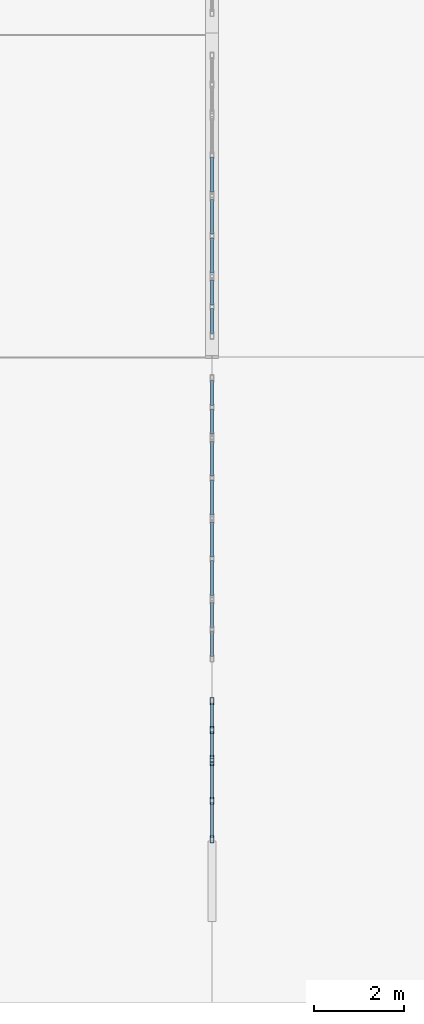
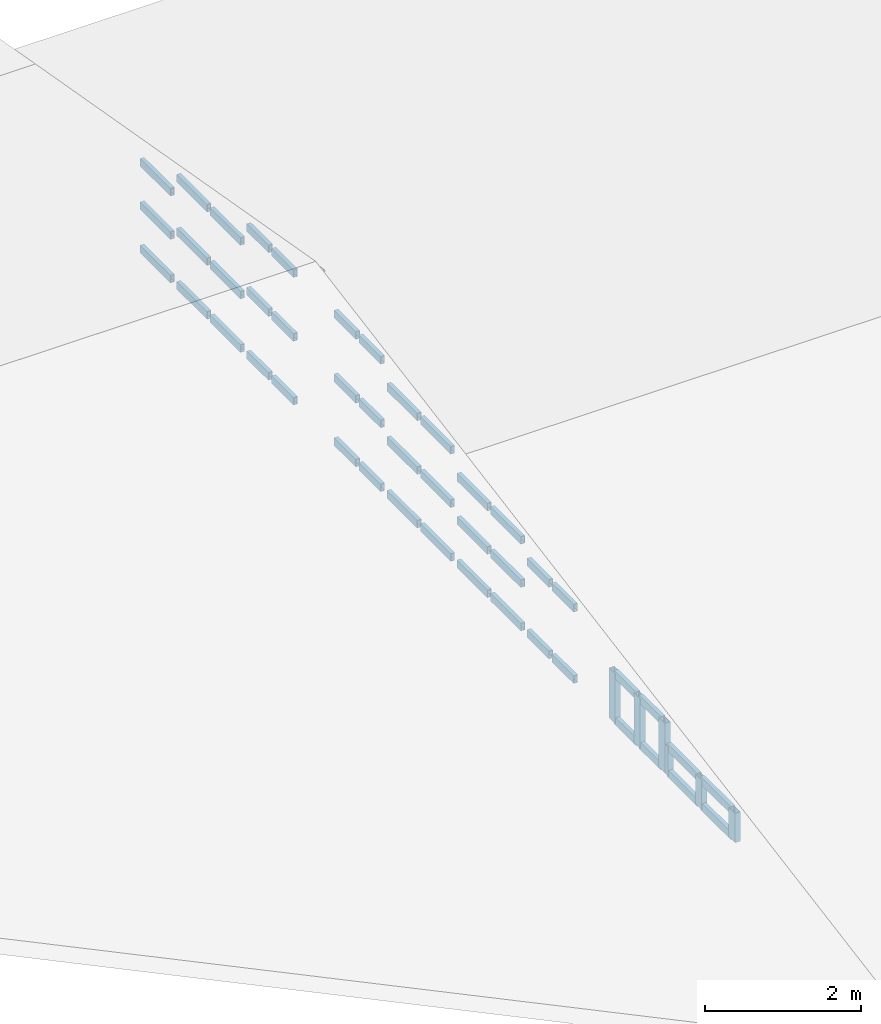
# One storey, part 25 of 39: 51 members, 9 elements without a shape of their own.
"""IFC4 building model written with IfcOpenShell, lengths in metres."""

from ifc_helpers import new_model, si_unit, direction, frame, origin, origin_2d, place, context, subcontext, project, spatial, hollow_rectangle, extrude, material, layer, layer_set, material_profile, profile_set, type_object, element, aggregate, save


model = new_model("IFC4")

# Units and contexts
model_context = context("Model", 3, precision=1e-05, world=origin(), true_north=direction((0.0, 1.0)))
body_context = subcontext(model_context, "Body", "Model", "MODEL_VIEW")
ifc_project = project(units=[si_unit("LENGTHUNIT", "METRE"), si_unit("AREAUNIT", "SQUARE_METRE"), si_unit("VOLUMEUNIT", "CUBIC_METRE"), si_unit("PLANEANGLEUNIT", "RADIAN"), si_unit("MASSUNIT", "GRAM", prefix="KILO"), si_unit("THERMODYNAMICTEMPERATUREUNIT", "KELVIN"), si_unit("POWERUNIT", "WATT")], contexts=[model_context])

# Site, building, storey
site_placement = place(None, origin())
site = spatial("IfcSite", under=ifc_project, at=site_placement, CompositionType="ELEMENT")
building_placement = place(site_placement, origin())
building = spatial("IfcBuilding", under=site, at=building_placement, Name="Kaldorven Railside Theatre", CompositionType="ELEMENT")
storey_placement = place(building_placement, frame((0.0, 0.0, 27.300048828125)))
storey = spatial("IfcBuildingStorey", under=building, at=storey_placement, Name="ROOF", CompositionType="ELEMENT", Elevation=27.300048828125)

# Curtain wall, members
ifc_material_1 = material(Name="Low-E laminated solar-control glass", Category="glass")
ifc_layer_1 = layer(ifc_material_1, 0.159912109375, Name="Low-E laminated solar-control glass")
ifc_layer_set_1 = layer_set([ifc_layer_1], Name="Low-E laminated solar-control glass")
curtain_wall_type_1 = type_object("IfcCurtainWallType", Name="CWT-77", PredefinedType="USERDEFINED", material=ifc_layer_set_1)
curtain_wall_1_placement = place(storey_placement, origin())
curtain_wall_1 = element("IfcCurtainWall", 1, at=curtain_wall_1_placement, inside=storey, type_object=curtain_wall_type_1, Name="Upper Plant East Gable Clerestory CWG-186", ObjectType="FLUTED GLAZING", PredefinedType="USERDEFINED")
ifc_material_2 = material(Name="Anodised bronze aluminium", Category="aluminium")
ifc_material_profile_1 = material_profile(ifc_material_2, hollow_rectangle(XDim=0.080078125, YDim=0.159912109375, WallThickness=0.00634765625, at=origin_2d()), Name="RHS 160x80x6.3")
ifc_profile_set_1 = profile_set([ifc_material_profile_1], Name="Anodised bronze aluminium")
member_type_1 = type_object("IfcMemberType", Name="CWM-160", PredefinedType="MULLION", material=ifc_profile_set_1)
member_1_placement = place(storey_placement, frame((137.60009765625, 116.43994140625, 0.02001953125), z_axis=(0.0, 0.0, 1.0), x_axis=(-1.0, 0.0, 0.0)))
member_1 = element("IfcMember", 2, at=member_1_placement, type_object=member_type_1, Name="CWG-186 mullion 1", PredefinedType="MULLION", context=body_context, shape_type="SweptSolid", body=[
    extrude(hollow_rectangle(XDim=0.080078125, YDim=0.159912109375, WallThickness=0.00634765625, at=origin_2d()), origin(), (0.0, 0.0, 1.0), 0.4599609375),
])
member_2_placement = place(storey_placement, frame((137.60009765625, 117.300048828125, 0.02001953125), z_axis=(0.0, 0.0, 1.0), x_axis=(-1.0, 0.0, 0.0)))
member_2 = element("IfcMember", 3, at=member_2_placement, type_object=member_type_1, Name="CWG-186 mullion 2", PredefinedType="MULLION", context=body_context, shape_type="SweptSolid", body=[
    extrude(hollow_rectangle(XDim=0.080078125, YDim=0.159912109375, WallThickness=0.00634765625, at=origin_2d()), origin(), (0.0, 0.0, 1.0), 0.4599609375),
])
member_3_placement = place(storey_placement, frame((137.60009765625, 118.159912109375, 0.02001953125), z_axis=(0.0, 0.0, 1.0), x_axis=(-1.0, 0.0, 0.0)))
member_3 = element("IfcMember", 4, at=member_3_placement, type_object=member_type_1, Name="CWG-186 mullion 3", PredefinedType="MULLION", context=body_context, shape_type="SweptSolid", body=[
    extrude(hollow_rectangle(XDim=0.080078125, YDim=0.159912109375, WallThickness=0.00634765625, at=origin_2d()), origin(), (0.0, 0.0, 1.0), 0.4599609375),
])

ifc_layer_2 = layer(ifc_material_1, 0.159912109375, Name="Low-E laminated solar-control glass")
ifc_layer_set_2 = layer_set([ifc_layer_2], Name="Low-E laminated solar-control glass")
curtain_wall_type_2 = type_object("IfcCurtainWallType", Name="CWT-78", PredefinedType="USERDEFINED", material=ifc_layer_set_2)
curtain_wall_2_placement = place(storey_placement, origin())
curtain_wall_2 = element("IfcCurtainWall", 5, at=curtain_wall_2_placement, inside=storey, type_object=curtain_wall_type_2, Name="Upper Plant East Gable Clerestory CWG-187", ObjectType="FLUTED GLAZING", PredefinedType="USERDEFINED")
member_4_placement = place(storey_placement, frame((137.60009765625, 118.239990234375, 0.02001953125), z_axis=(0.0, 0.0, 1.0), x_axis=(-1.0, 0.0, 0.0)))
member_4 = element("IfcMember", 6, at=member_4_placement, type_object=member_type_1, Name="CWG-187 mullion 1", PredefinedType="MULLION", context=body_context, shape_type="SweptSolid", body=[
    extrude(hollow_rectangle(XDim=0.080078125, YDim=0.159912109375, WallThickness=0.00634765625, at=origin_2d()), origin(), (0.0, 0.0, 1.0), 0.780029296875),
])
member_5_placement = place(storey_placement, frame((137.60009765625, 118.8798828125, 0.02001953125), z_axis=(0.0, 0.0, 1.0), x_axis=(-1.0, 0.0, 0.0)))
member_5 = element("IfcMember", 7, at=member_5_placement, type_object=member_type_1, Name="CWG-187 mullion 2", PredefinedType="MULLION", context=body_context, shape_type="SweptSolid", body=[
    extrude(hollow_rectangle(XDim=0.080078125, YDim=0.159912109375, WallThickness=0.00634765625, at=origin_2d()), origin(), (0.0, 0.0, 1.0), 0.780029296875),
])
member_6_placement = place(storey_placement, frame((137.60009765625, 119.52001953125, 0.02001953125), z_axis=(0.0, 0.0, 1.0), x_axis=(-1.0, 0.0, 0.0)))
member_6 = element("IfcMember", 8, at=member_6_placement, type_object=member_type_1, Name="CWG-187 mullion 3", PredefinedType="MULLION", context=body_context, shape_type="SweptSolid", body=[
    extrude(hollow_rectangle(XDim=0.080078125, YDim=0.159912109375, WallThickness=0.00634765625, at=origin_2d()), origin(), (0.0, 0.0, 1.0), 0.780029296875),
])

# Member
ifc_material_profile_2 = material_profile(ifc_material_2, hollow_rectangle(XDim=0.06005859375, YDim=0.1201171875, WallThickness=0.0048828125, at=origin_2d()), Name="RHS 120x60x5")
ifc_profile_set_2 = profile_set([ifc_material_profile_2], Name="Anodised bronze aluminium")
member_type_2 = type_object("IfcMemberType", Name="CWT-120", PredefinedType="USERDEFINED", material=ifc_profile_set_2)
member_7_placement = place(storey_placement, frame((137.60009765625, 116.47998046875, 0.050048828125), z_axis=(0.0, 1.0, 0.0), x_axis=(-1.0, 0.0, 0.0)))
member_7 = element("IfcMember", 9, at=member_7_placement, type_object=member_type_2, Name="CWG-186 transom 1.1", ObjectType="TRANSOM", PredefinedType="USERDEFINED", context=body_context, shape_type="SweptSolid", body=[
    extrude(hollow_rectangle(XDim=0.06005859375, YDim=0.1201171875, WallThickness=0.0048828125, at=origin_2d()), origin(), (0.0, 0.0, 1.0), 0.780029296875),
])

member_8_placement = place(storey_placement, frame((137.60009765625, 116.47998046875, 0.449951171875), z_axis=(0.0, 1.0, 0.0), x_axis=(-1.0, 0.0, 0.0)))
member_8 = element("IfcMember", 10, at=member_8_placement, type_object=member_type_2, Name="CWG-186 transom 1.2", ObjectType="TRANSOM", PredefinedType="USERDEFINED", context=body_context, shape_type="SweptSolid", body=[
    extrude(hollow_rectangle(XDim=0.06005859375, YDim=0.1201171875, WallThickness=0.0048828125, at=origin_2d()), origin(), (0.0, 0.0, 1.0), 0.780029296875),
])

member_9_placement = place(storey_placement, frame((137.60009765625, 117.340087890625, 0.050048828125), z_axis=(0.0, 1.0, 0.0), x_axis=(-1.0, 0.0, 0.0)))
member_9 = element("IfcMember", 11, at=member_9_placement, type_object=member_type_2, Name="CWG-186 transom 2.1", ObjectType="TRANSOM", PredefinedType="USERDEFINED", context=body_context, shape_type="SweptSolid", body=[
    extrude(hollow_rectangle(XDim=0.06005859375, YDim=0.1201171875, WallThickness=0.0048828125, at=origin_2d()), origin(), (0.0, 0.0, 1.0), 0.780029296875),
])

member_10_placement = place(storey_placement, frame((137.60009765625, 117.340087890625, 0.449951171875), z_axis=(0.0, 1.0, 0.0), x_axis=(-1.0, 0.0, 0.0)))
member_10 = element("IfcMember", 12, at=member_10_placement, type_object=member_type_2, Name="CWG-186 transom 2.2", ObjectType="TRANSOM", PredefinedType="USERDEFINED", context=body_context, shape_type="SweptSolid", body=[
    extrude(hollow_rectangle(XDim=0.06005859375, YDim=0.1201171875, WallThickness=0.0048828125, at=origin_2d()), origin(), (0.0, 0.0, 1.0), 0.780029296875),
])

aggregate(curtain_wall_1, [member_1, member_2, member_3, member_7, member_8, member_9, member_10])

member_11_placement = place(storey_placement, frame((137.60009765625, 118.280029296875, 0.050048828125), z_axis=(0.0, 1.0, 0.0), x_axis=(-1.0, 0.0, 0.0)))
member_11 = element("IfcMember", 13, at=member_11_placement, type_object=member_type_2, Name="CWG-187 transom 1.1", ObjectType="TRANSOM", PredefinedType="USERDEFINED", context=body_context, shape_type="SweptSolid", body=[
    extrude(hollow_rectangle(XDim=0.06005859375, YDim=0.1201171875, WallThickness=0.0048828125, at=origin_2d()), origin(), (0.0, 0.0, 1.0), 0.56005859375),
])

member_12_placement = place(storey_placement, frame((137.60009765625, 118.280029296875, 0.77001953125), z_axis=(0.0, 1.0, 0.0), x_axis=(-1.0, 0.0, 0.0)))
member_12 = element("IfcMember", 14, at=member_12_placement, type_object=member_type_2, Name="CWG-187 transom 1.2", ObjectType="TRANSOM", PredefinedType="USERDEFINED", context=body_context, shape_type="SweptSolid", body=[
    extrude(hollow_rectangle(XDim=0.06005859375, YDim=0.1201171875, WallThickness=0.0048828125, at=origin_2d()), origin(), (0.0, 0.0, 1.0), 0.56005859375),
])

member_13_placement = place(storey_placement, frame((137.60009765625, 118.919921875, 0.050048828125), z_axis=(0.0, 1.0, 0.0), x_axis=(-1.0, 0.0, 0.0)))
member_13 = element("IfcMember", 15, at=member_13_placement, type_object=member_type_2, Name="CWG-187 transom 2.1", ObjectType="TRANSOM", PredefinedType="USERDEFINED", context=body_context, shape_type="SweptSolid", body=[
    extrude(hollow_rectangle(XDim=0.06005859375, YDim=0.1201171875, WallThickness=0.0048828125, at=origin_2d()), origin(), (0.0, 0.0, 1.0), 0.56005859375),
])

member_14_placement = place(storey_placement, frame((137.60009765625, 118.919921875, 0.77001953125), z_axis=(0.0, 1.0, 0.0), x_axis=(-1.0, 0.0, 0.0)))
member_14 = element("IfcMember", 16, at=member_14_placement, type_object=member_type_2, Name="CWG-187 transom 2.2", ObjectType="TRANSOM", PredefinedType="USERDEFINED", context=body_context, shape_type="SweptSolid", body=[
    extrude(hollow_rectangle(XDim=0.06005859375, YDim=0.1201171875, WallThickness=0.0048828125, at=origin_2d()), origin(), (0.0, 0.0, 1.0), 0.56005859375),
])

aggregate(curtain_wall_2, [member_4, member_5, member_6, member_11, member_12, member_13, member_14])

# Curtain wall, members
ifc_layer_3 = layer(ifc_material_1, 0.159912109375, Name="Low-E laminated solar-control glass")
ifc_layer_set_3 = layer_set([ifc_layer_3], Name="Low-E laminated solar-control glass")
curtain_wall_type_3 = type_object("IfcCurtainWallType", Name="CWT-61", PredefinedType="USERDEFINED", material=ifc_layer_set_3)
curtain_wall_3_placement = place(storey_placement, origin())
curtain_wall_3 = element("IfcCurtainWall", 17, at=curtain_wall_3_placement, inside=storey, type_object=curtain_wall_type_3, Name="Upper Plant East Gable Clerestory CWG-188", ObjectType="FLUTED GLAZING", PredefinedType="USERDEFINED")
member_15_placement = place(storey_placement, frame((137.60009765625, 120.52001953125, 0.050048828125), z_axis=(0.0, 1.0, 0.0), x_axis=(-1.0, 0.0, 0.0)))
member_15 = element("IfcMember", 18, at=member_15_placement, type_object=member_type_2, Name="CWG-188 transom 1.1", ObjectType="TRANSOM", PredefinedType="USERDEFINED", context=body_context, shape_type="SweptSolid", body=[
    extrude(hollow_rectangle(XDim=0.06005859375, YDim=0.1201171875, WallThickness=0.0048828125, at=origin_2d()), origin(), (0.0, 0.0, 1.0), 0.56005859375),
])
member_16_placement = place(storey_placement, frame((137.60009765625, 120.52001953125, 1.169921875), z_axis=(0.0, 1.0, 0.0), x_axis=(-1.0, 0.0, 0.0)))
member_16 = element("IfcMember", 19, at=member_16_placement, type_object=member_type_2, Name="CWG-188 transom 1.2", ObjectType="TRANSOM", PredefinedType="USERDEFINED", context=body_context, shape_type="SweptSolid", body=[
    extrude(hollow_rectangle(XDim=0.06005859375, YDim=0.1201171875, WallThickness=0.0048828125, at=origin_2d()), origin(), (0.0, 0.0, 1.0), 0.56005859375),
])
member_17_placement = place(storey_placement, frame((137.60009765625, 121.159912109375, 0.050048828125), z_axis=(0.0, 1.0, 0.0), x_axis=(-1.0, 0.0, 0.0)))
member_17 = element("IfcMember", 20, at=member_17_placement, type_object=member_type_2, Name="CWG-188 transom 2.1", ObjectType="TRANSOM", PredefinedType="USERDEFINED", context=body_context, shape_type="SweptSolid", body=[
    extrude(hollow_rectangle(XDim=0.06005859375, YDim=0.1201171875, WallThickness=0.0048828125, at=origin_2d()), origin(), (0.0, 0.0, 1.0), 0.56005859375),
])
member_18_placement = place(storey_placement, frame((137.60009765625, 121.159912109375, 1.169921875), z_axis=(0.0, 1.0, 0.0), x_axis=(-1.0, 0.0, 0.0)))
member_18 = element("IfcMember", 21, at=member_18_placement, type_object=member_type_2, Name="CWG-188 transom 2.2", ObjectType="TRANSOM", PredefinedType="USERDEFINED", context=body_context, shape_type="SweptSolid", body=[
    extrude(hollow_rectangle(XDim=0.06005859375, YDim=0.1201171875, WallThickness=0.0048828125, at=origin_2d()), origin(), (0.0, 0.0, 1.0), 0.56005859375),
])
aggregate(curtain_wall_3, [member_15, member_16, member_17, member_18])

ifc_layer_4 = layer(ifc_material_1, 0.159912109375, Name="Low-E laminated solar-control glass")
ifc_layer_set_4 = layer_set([ifc_layer_4], Name="Low-E laminated solar-control glass")
curtain_wall_type_4 = type_object("IfcCurtainWallType", Name="CWT-79", PredefinedType="USERDEFINED", material=ifc_layer_set_4)
curtain_wall_4_placement = place(storey_placement, origin())
curtain_wall_4 = element("IfcCurtainWall", 22, at=curtain_wall_4_placement, inside=storey, type_object=curtain_wall_type_4, Name="Upper Plant East Gable Clerestory CWG-189", ObjectType="FLUTED GLAZING", PredefinedType="USERDEFINED")
member_19_placement = place(storey_placement, frame((137.60009765625, 121.8798828125, 0.050048828125), z_axis=(0.0, 1.0, 0.0), x_axis=(-1.0, 0.0, 0.0)))
member_19 = element("IfcMember", 23, at=member_19_placement, type_object=member_type_2, Name="CWG-189 transom 1.1", ObjectType="TRANSOM", PredefinedType="USERDEFINED", context=body_context, shape_type="SweptSolid", body=[
    extrude(hollow_rectangle(XDim=0.06005859375, YDim=0.1201171875, WallThickness=0.0048828125, at=origin_2d()), origin(), (0.0, 0.0, 1.0), 0.780029296875),
])
member_20_placement = place(storey_placement, frame((137.60009765625, 121.8798828125, 0.72998046875), z_axis=(0.0, 1.0, 0.0), x_axis=(-1.0, 0.0, 0.0)))
member_20 = element("IfcMember", 24, at=member_20_placement, type_object=member_type_2, Name="CWG-189 transom 1.2", ObjectType="TRANSOM", PredefinedType="USERDEFINED", context=body_context, shape_type="SweptSolid", body=[
    extrude(hollow_rectangle(XDim=0.06005859375, YDim=0.1201171875, WallThickness=0.0048828125, at=origin_2d()), origin(), (0.0, 0.0, 1.0), 0.780029296875),
])
member_21_placement = place(storey_placement, frame((137.60009765625, 121.8798828125, 1.409912109375), z_axis=(0.0, 1.0, 0.0), x_axis=(-1.0, 0.0, 0.0)))
member_21 = element("IfcMember", 25, at=member_21_placement, type_object=member_type_2, Name="CWG-189 transom 1.3", ObjectType="TRANSOM", PredefinedType="USERDEFINED", context=body_context, shape_type="SweptSolid", body=[
    extrude(hollow_rectangle(XDim=0.06005859375, YDim=0.1201171875, WallThickness=0.0048828125, at=origin_2d()), origin(), (0.0, 0.0, 1.0), 0.780029296875),
])
member_22_placement = place(storey_placement, frame((137.60009765625, 122.739990234375, 0.050048828125), z_axis=(0.0, 1.0, 0.0), x_axis=(-1.0, 0.0, 0.0)))
member_22 = element("IfcMember", 26, at=member_22_placement, type_object=member_type_2, Name="CWG-189 transom 2.1", ObjectType="TRANSOM", PredefinedType="USERDEFINED", context=body_context, shape_type="SweptSolid", body=[
    extrude(hollow_rectangle(XDim=0.06005859375, YDim=0.1201171875, WallThickness=0.0048828125, at=origin_2d()), origin(), (0.0, 0.0, 1.0), 0.780029296875),
])
member_23_placement = place(storey_placement, frame((137.60009765625, 122.739990234375, 0.72998046875), z_axis=(0.0, 1.0, 0.0), x_axis=(-1.0, 0.0, 0.0)))
member_23 = element("IfcMember", 27, at=member_23_placement, type_object=member_type_2, Name="CWG-189 transom 2.2", ObjectType="TRANSOM", PredefinedType="USERDEFINED", context=body_context, shape_type="SweptSolid", body=[
    extrude(hollow_rectangle(XDim=0.06005859375, YDim=0.1201171875, WallThickness=0.0048828125, at=origin_2d()), origin(), (0.0, 0.0, 1.0), 0.780029296875),
])
member_24_placement = place(storey_placement, frame((137.60009765625, 122.739990234375, 1.409912109375), z_axis=(0.0, 1.0, 0.0), x_axis=(-1.0, 0.0, 0.0)))
member_24 = element("IfcMember", 28, at=member_24_placement, type_object=member_type_2, Name="CWG-189 transom 2.3", ObjectType="TRANSOM", PredefinedType="USERDEFINED", context=body_context, shape_type="SweptSolid", body=[
    extrude(hollow_rectangle(XDim=0.06005859375, YDim=0.1201171875, WallThickness=0.0048828125, at=origin_2d()), origin(), (0.0, 0.0, 1.0), 0.780029296875),
])
aggregate(curtain_wall_4, [member_19, member_20, member_21, member_22, member_23, member_24])

ifc_layer_5 = layer(ifc_material_1, 0.159912109375, Name="Low-E laminated solar-control glass")
ifc_layer_set_5 = layer_set([ifc_layer_5], Name="Low-E laminated solar-control glass")
curtain_wall_type_5 = type_object("IfcCurtainWallType", Name="CWT-80", PredefinedType="USERDEFINED", material=ifc_layer_set_5)
curtain_wall_5_placement = place(storey_placement, origin())
curtain_wall_5 = element("IfcCurtainWall", 29, at=curtain_wall_5_placement, inside=storey, type_object=curtain_wall_type_5, Name="Upper Plant East Gable Clerestory CWG-190", ObjectType="FLUTED GLAZING", PredefinedType="USERDEFINED")
member_25_placement = place(storey_placement, frame((137.60009765625, 123.679931640625, 0.050048828125), z_axis=(0.0, 1.0, 0.0), x_axis=(-1.0, 0.0, 0.0)))
member_25 = element("IfcMember", 30, at=member_25_placement, type_object=member_type_2, Name="CWG-190 transom 1.1", ObjectType="TRANSOM", PredefinedType="USERDEFINED", context=body_context, shape_type="SweptSolid", body=[
    extrude(hollow_rectangle(XDim=0.06005859375, YDim=0.1201171875, WallThickness=0.0048828125, at=origin_2d()), origin(), (0.0, 0.0, 1.0), 0.780029296875),
])
member_26_placement = place(storey_placement, frame((137.60009765625, 123.679931640625, 0.889892578125), z_axis=(0.0, 1.0, 0.0), x_axis=(-1.0, 0.0, 0.0)))
member_26 = element("IfcMember", 31, at=member_26_placement, type_object=member_type_2, Name="CWG-190 transom 1.2", ObjectType="TRANSOM", PredefinedType="USERDEFINED", context=body_context, shape_type="SweptSolid", body=[
    extrude(hollow_rectangle(XDim=0.06005859375, YDim=0.1201171875, WallThickness=0.0048828125, at=origin_2d()), origin(), (0.0, 0.0, 1.0), 0.780029296875),
])
member_27_placement = place(storey_placement, frame((137.60009765625, 123.679931640625, 1.72998046875), z_axis=(0.0, 1.0, 0.0), x_axis=(-1.0, 0.0, 0.0)))
member_27 = element("IfcMember", 32, at=member_27_placement, type_object=member_type_2, Name="CWG-190 transom 1.3", ObjectType="TRANSOM", PredefinedType="USERDEFINED", context=body_context, shape_type="SweptSolid", body=[
    extrude(hollow_rectangle(XDim=0.06005859375, YDim=0.1201171875, WallThickness=0.0048828125, at=origin_2d()), origin(), (0.0, 0.0, 1.0), 0.780029296875),
])
member_28_placement = place(storey_placement, frame((137.60009765625, 124.5400390625, 0.050048828125), z_axis=(0.0, 1.0, 0.0), x_axis=(-1.0, 0.0, 0.0)))
member_28 = element("IfcMember", 33, at=member_28_placement, type_object=member_type_2, Name="CWG-190 transom 2.1", ObjectType="TRANSOM", PredefinedType="USERDEFINED", context=body_context, shape_type="SweptSolid", body=[
    extrude(hollow_rectangle(XDim=0.06005859375, YDim=0.1201171875, WallThickness=0.0048828125, at=origin_2d()), origin(), (0.0, 0.0, 1.0), 0.780029296875),
])
member_29_placement = place(storey_placement, frame((137.60009765625, 124.5400390625, 0.889892578125), z_axis=(0.0, 1.0, 0.0), x_axis=(-1.0, 0.0, 0.0)))
member_29 = element("IfcMember", 34, at=member_29_placement, type_object=member_type_2, Name="CWG-190 transom 2.2", ObjectType="TRANSOM", PredefinedType="USERDEFINED", context=body_context, shape_type="SweptSolid", body=[
    extrude(hollow_rectangle(XDim=0.06005859375, YDim=0.1201171875, WallThickness=0.0048828125, at=origin_2d()), origin(), (0.0, 0.0, 1.0), 0.780029296875),
])
member_30_placement = place(storey_placement, frame((137.60009765625, 124.5400390625, 1.72998046875), z_axis=(0.0, 1.0, 0.0), x_axis=(-1.0, 0.0, 0.0)))
member_30 = element("IfcMember", 35, at=member_30_placement, type_object=member_type_2, Name="CWG-190 transom 2.3", ObjectType="TRANSOM", PredefinedType="USERDEFINED", context=body_context, shape_type="SweptSolid", body=[
    extrude(hollow_rectangle(XDim=0.06005859375, YDim=0.1201171875, WallThickness=0.0048828125, at=origin_2d()), origin(), (0.0, 0.0, 1.0), 0.780029296875),
])
aggregate(curtain_wall_5, [member_25, member_26, member_27, member_28, member_29, member_30])

ifc_layer_6 = layer(ifc_material_1, 0.159912109375, Name="Low-E laminated solar-control glass")
ifc_layer_set_6 = layer_set([ifc_layer_6], Name="Low-E laminated solar-control glass")
curtain_wall_type_6 = type_object("IfcCurtainWallType", Name="CWT-81", PredefinedType="USERDEFINED", material=ifc_layer_set_6)
curtain_wall_6_placement = place(storey_placement, origin())
curtain_wall_6 = element("IfcCurtainWall", 36, at=curtain_wall_6_placement, inside=storey, type_object=curtain_wall_type_6, Name="Upper Plant East Gable Clerestory CWG-191", ObjectType="FLUTED GLAZING", PredefinedType="USERDEFINED")
member_31_placement = place(storey_placement, frame((137.60009765625, 125.47998046875, 0.050048828125), z_axis=(0.0, 1.0, 0.0), x_axis=(-1.0, 0.0, 0.0)))
member_31 = element("IfcMember", 37, at=member_31_placement, type_object=member_type_2, Name="CWG-191 transom 1.1", ObjectType="TRANSOM", PredefinedType="USERDEFINED", context=body_context, shape_type="SweptSolid", body=[
    extrude(hollow_rectangle(XDim=0.06005859375, YDim=0.1201171875, WallThickness=0.0048828125, at=origin_2d()), origin(), (0.0, 0.0, 1.0), 0.56005859375),
])
member_32_placement = place(storey_placement, frame((137.60009765625, 125.47998046875, 1.050048828125), z_axis=(0.0, 1.0, 0.0), x_axis=(-1.0, 0.0, 0.0)))
member_32 = element("IfcMember", 38, at=member_32_placement, type_object=member_type_2, Name="CWG-191 transom 1.2", ObjectType="TRANSOM", PredefinedType="USERDEFINED", context=body_context, shape_type="SweptSolid", body=[
    extrude(hollow_rectangle(XDim=0.06005859375, YDim=0.1201171875, WallThickness=0.0048828125, at=origin_2d()), origin(), (0.0, 0.0, 1.0), 0.56005859375),
])
member_33_placement = place(storey_placement, frame((137.60009765625, 125.47998046875, 2.050048828125), z_axis=(0.0, 1.0, 0.0), x_axis=(-1.0, 0.0, 0.0)))
member_33 = element("IfcMember", 39, at=member_33_placement, type_object=member_type_2, Name="CWG-191 transom 1.3", ObjectType="TRANSOM", PredefinedType="USERDEFINED", context=body_context, shape_type="SweptSolid", body=[
    extrude(hollow_rectangle(XDim=0.06005859375, YDim=0.1201171875, WallThickness=0.0048828125, at=origin_2d()), origin(), (0.0, 0.0, 1.0), 0.56005859375),
])
member_34_placement = place(storey_placement, frame((137.60009765625, 126.1201171875, 0.050048828125), z_axis=(0.0, 1.0, 0.0), x_axis=(-1.0, 0.0, 0.0)))
member_34 = element("IfcMember", 40, at=member_34_placement, type_object=member_type_2, Name="CWG-191 transom 2.1", ObjectType="TRANSOM", PredefinedType="USERDEFINED", context=body_context, shape_type="SweptSolid", body=[
    extrude(hollow_rectangle(XDim=0.06005859375, YDim=0.1201171875, WallThickness=0.0048828125, at=origin_2d()), origin(), (0.0, 0.0, 1.0), 0.559814453125),
])
member_35_placement = place(storey_placement, frame((137.60009765625, 126.1201171875, 1.050048828125), z_axis=(0.0, 1.0, 0.0), x_axis=(-1.0, 0.0, 0.0)))
member_35 = element("IfcMember", 41, at=member_35_placement, type_object=member_type_2, Name="CWG-191 transom 2.2", ObjectType="TRANSOM", PredefinedType="USERDEFINED", context=body_context, shape_type="SweptSolid", body=[
    extrude(hollow_rectangle(XDim=0.06005859375, YDim=0.1201171875, WallThickness=0.0048828125, at=origin_2d()), origin(), (0.0, 0.0, 1.0), 0.559814453125),
])
member_36_placement = place(storey_placement, frame((137.60009765625, 126.1201171875, 2.050048828125), z_axis=(0.0, 1.0, 0.0), x_axis=(-1.0, 0.0, 0.0)))
member_36 = element("IfcMember", 42, at=member_36_placement, type_object=member_type_2, Name="CWG-191 transom 2.3", ObjectType="TRANSOM", PredefinedType="USERDEFINED", context=body_context, shape_type="SweptSolid", body=[
    extrude(hollow_rectangle(XDim=0.06005859375, YDim=0.1201171875, WallThickness=0.0048828125, at=origin_2d()), origin(), (0.0, 0.0, 1.0), 0.559814453125),
])
aggregate(curtain_wall_6, [member_31, member_32, member_33, member_34, member_35, member_36])

curtain_wall_7_placement = place(storey_placement, origin())
curtain_wall_7 = element("IfcCurtainWall", 43, at=curtain_wall_7_placement, inside=storey, type_object=curtain_wall_type_6, Name="Upper Plant East Gable Clerestory CWG-192", ObjectType="FLUTED GLAZING", PredefinedType="USERDEFINED")
member_37_placement = place(storey_placement, frame((137.60009765625, 127.719970703125, 0.050048828125), z_axis=(0.0, 1.0, 0.0), x_axis=(-1.0, 0.0, 0.0)))
member_37 = element("IfcMember", 44, at=member_37_placement, type_object=member_type_2, Name="CWG-192 transom 1.1", ObjectType="TRANSOM", PredefinedType="USERDEFINED", context=body_context, shape_type="SweptSolid", body=[
    extrude(hollow_rectangle(XDim=0.06005859375, YDim=0.1201171875, WallThickness=0.0048828125, at=origin_2d()), origin(), (0.0, 0.0, 1.0), 0.56005859375),
])
member_38_placement = place(storey_placement, frame((137.60009765625, 127.719970703125, 1.050048828125), z_axis=(0.0, 1.0, 0.0), x_axis=(-1.0, 0.0, 0.0)))
member_38 = element("IfcMember", 45, at=member_38_placement, type_object=member_type_2, Name="CWG-192 transom 1.2", ObjectType="TRANSOM", PredefinedType="USERDEFINED", context=body_context, shape_type="SweptSolid", body=[
    extrude(hollow_rectangle(XDim=0.06005859375, YDim=0.1201171875, WallThickness=0.0048828125, at=origin_2d()), origin(), (0.0, 0.0, 1.0), 0.56005859375),
])
member_39_placement = place(storey_placement, frame((137.60009765625, 127.719970703125, 2.050048828125), z_axis=(0.0, 1.0, 0.0), x_axis=(-1.0, 0.0, 0.0)))
member_39 = element("IfcMember", 46, at=member_39_placement, type_object=member_type_2, Name="CWG-192 transom 1.3", ObjectType="TRANSOM", PredefinedType="USERDEFINED", context=body_context, shape_type="SweptSolid", body=[
    extrude(hollow_rectangle(XDim=0.06005859375, YDim=0.1201171875, WallThickness=0.0048828125, at=origin_2d()), origin(), (0.0, 0.0, 1.0), 0.56005859375),
])
member_40_placement = place(storey_placement, frame((137.60009765625, 128.360107421875, 0.050048828125), z_axis=(0.0, 1.0, 0.0), x_axis=(-1.0, 0.0, 0.0)))
member_40 = element("IfcMember", 47, at=member_40_placement, type_object=member_type_2, Name="CWG-192 transom 2.1", ObjectType="TRANSOM", PredefinedType="USERDEFINED", context=body_context, shape_type="SweptSolid", body=[
    extrude(hollow_rectangle(XDim=0.06005859375, YDim=0.1201171875, WallThickness=0.0048828125, at=origin_2d()), origin(), (0.0, 0.0, 1.0), 0.559814453125),
])
member_41_placement = place(storey_placement, frame((137.60009765625, 128.360107421875, 1.050048828125), z_axis=(0.0, 1.0, 0.0), x_axis=(-1.0, 0.0, 0.0)))
member_41 = element("IfcMember", 48, at=member_41_placement, type_object=member_type_2, Name="CWG-192 transom 2.2", ObjectType="TRANSOM", PredefinedType="USERDEFINED", context=body_context, shape_type="SweptSolid", body=[
    extrude(hollow_rectangle(XDim=0.06005859375, YDim=0.1201171875, WallThickness=0.0048828125, at=origin_2d()), origin(), (0.0, 0.0, 1.0), 0.559814453125),
])
member_42_placement = place(storey_placement, frame((137.60009765625, 128.360107421875, 2.050048828125), z_axis=(0.0, 1.0, 0.0), x_axis=(-1.0, 0.0, 0.0)))
member_42 = element("IfcMember", 49, at=member_42_placement, type_object=member_type_2, Name="CWG-192 transom 2.3", ObjectType="TRANSOM", PredefinedType="USERDEFINED", context=body_context, shape_type="SweptSolid", body=[
    extrude(hollow_rectangle(XDim=0.06005859375, YDim=0.1201171875, WallThickness=0.0048828125, at=origin_2d()), origin(), (0.0, 0.0, 1.0), 0.559814453125),
])
aggregate(curtain_wall_7, [member_37, member_38, member_39, member_40, member_41, member_42])

curtain_wall_8_placement = place(storey_placement, origin())
curtain_wall_8 = element("IfcCurtainWall", 50, at=curtain_wall_8_placement, inside=storey, type_object=curtain_wall_type_5, Name="Upper Plant East Gable Clerestory CWG-193", ObjectType="FLUTED GLAZING", PredefinedType="USERDEFINED")
member_43_placement = place(storey_placement, frame((137.60009765625, 129.080078125, 0.050048828125), z_axis=(0.0, 1.0, 0.0), x_axis=(-1.0, 0.0, 0.0)))
member_43 = element("IfcMember", 51, at=member_43_placement, type_object=member_type_2, Name="CWG-193 transom 1.1", ObjectType="TRANSOM", PredefinedType="USERDEFINED", context=body_context, shape_type="SweptSolid", body=[
    extrude(hollow_rectangle(XDim=0.06005859375, YDim=0.1201171875, WallThickness=0.0048828125, at=origin_2d()), origin(), (0.0, 0.0, 1.0), 0.780029296875),
])
member_44_placement = place(storey_placement, frame((137.60009765625, 129.080078125, 0.889892578125), z_axis=(0.0, 1.0, 0.0), x_axis=(-1.0, 0.0, 0.0)))
member_44 = element("IfcMember", 52, at=member_44_placement, type_object=member_type_2, Name="CWG-193 transom 1.2", ObjectType="TRANSOM", PredefinedType="USERDEFINED", context=body_context, shape_type="SweptSolid", body=[
    extrude(hollow_rectangle(XDim=0.06005859375, YDim=0.1201171875, WallThickness=0.0048828125, at=origin_2d()), origin(), (0.0, 0.0, 1.0), 0.780029296875),
])
member_45_placement = place(storey_placement, frame((137.60009765625, 129.080078125, 1.72998046875), z_axis=(0.0, 1.0, 0.0), x_axis=(-1.0, 0.0, 0.0)))
member_45 = element("IfcMember", 53, at=member_45_placement, type_object=member_type_2, Name="CWG-193 transom 1.3", ObjectType="TRANSOM", PredefinedType="USERDEFINED", context=body_context, shape_type="SweptSolid", body=[
    extrude(hollow_rectangle(XDim=0.06005859375, YDim=0.1201171875, WallThickness=0.0048828125, at=origin_2d()), origin(), (0.0, 0.0, 1.0), 0.780029296875),
])
member_46_placement = place(storey_placement, frame((137.60009765625, 129.93994140625, 0.050048828125), z_axis=(0.0, 1.0, 0.0), x_axis=(-1.0, 0.0, 0.0)))
member_46 = element("IfcMember", 54, at=member_46_placement, type_object=member_type_2, Name="CWG-193 transom 2.1", ObjectType="TRANSOM", PredefinedType="USERDEFINED", context=body_context, shape_type="SweptSolid", body=[
    extrude(hollow_rectangle(XDim=0.06005859375, YDim=0.1201171875, WallThickness=0.0048828125, at=origin_2d()), origin(), (0.0, 0.0, 1.0), 0.780029296875),
])
member_47_placement = place(storey_placement, frame((137.60009765625, 129.93994140625, 0.889892578125), z_axis=(0.0, 1.0, 0.0), x_axis=(-1.0, 0.0, 0.0)))
member_47 = element("IfcMember", 55, at=member_47_placement, type_object=member_type_2, Name="CWG-193 transom 2.2", ObjectType="TRANSOM", PredefinedType="USERDEFINED", context=body_context, shape_type="SweptSolid", body=[
    extrude(hollow_rectangle(XDim=0.06005859375, YDim=0.1201171875, WallThickness=0.0048828125, at=origin_2d()), origin(), (0.0, 0.0, 1.0), 0.780029296875),
])
member_48_placement = place(storey_placement, frame((137.60009765625, 129.93994140625, 1.72998046875), z_axis=(0.0, 1.0, 0.0), x_axis=(-1.0, 0.0, 0.0)))
member_48 = element("IfcMember", 56, at=member_48_placement, type_object=member_type_2, Name="CWG-193 transom 2.3", ObjectType="TRANSOM", PredefinedType="USERDEFINED", context=body_context, shape_type="SweptSolid", body=[
    extrude(hollow_rectangle(XDim=0.06005859375, YDim=0.1201171875, WallThickness=0.0048828125, at=origin_2d()), origin(), (0.0, 0.0, 1.0), 0.780029296875),
])
aggregate(curtain_wall_8, [member_43, member_44, member_45, member_46, member_47, member_48])

curtain_wall_9_placement = place(storey_placement, origin())
curtain_wall_9 = element("IfcCurtainWall", 57, at=curtain_wall_9_placement, inside=storey, type_object=curtain_wall_type_4, Name="Upper Plant East Gable Clerestory CWG-194", ObjectType="FLUTED GLAZING", PredefinedType="USERDEFINED")
member_49_placement = place(storey_placement, frame((137.60009765625, 130.8798828125, 0.050048828125), z_axis=(0.0, 1.0, 0.0), x_axis=(-1.0, 0.0, 0.0)))
member_49 = element("IfcMember", 58, at=member_49_placement, type_object=member_type_2, Name="CWG-194 transom 1.1", ObjectType="TRANSOM", PredefinedType="USERDEFINED", context=body_context, shape_type="SweptSolid", body=[
    extrude(hollow_rectangle(XDim=0.06005859375, YDim=0.1201171875, WallThickness=0.0048828125, at=origin_2d()), origin(), (0.0, 0.0, 1.0), 0.780029296875),
])
member_50_placement = place(storey_placement, frame((137.60009765625, 130.8798828125, 0.72998046875), z_axis=(0.0, 1.0, 0.0), x_axis=(-1.0, 0.0, 0.0)))
member_50 = element("IfcMember", 59, at=member_50_placement, type_object=member_type_2, Name="CWG-194 transom 1.2", ObjectType="TRANSOM", PredefinedType="USERDEFINED", context=body_context, shape_type="SweptSolid", body=[
    extrude(hollow_rectangle(XDim=0.06005859375, YDim=0.1201171875, WallThickness=0.0048828125, at=origin_2d()), origin(), (0.0, 0.0, 1.0), 0.780029296875),
])
member_51_placement = place(storey_placement, frame((137.60009765625, 130.8798828125, 1.409912109375), z_axis=(0.0, 1.0, 0.0), x_axis=(-1.0, 0.0, 0.0)))
member_51 = element("IfcMember", 60, at=member_51_placement, type_object=member_type_2, Name="CWG-194 transom 1.3", ObjectType="TRANSOM", PredefinedType="USERDEFINED", context=body_context, shape_type="SweptSolid", body=[
    extrude(hollow_rectangle(XDim=0.06005859375, YDim=0.1201171875, WallThickness=0.0048828125, at=origin_2d()), origin(), (0.0, 0.0, 1.0), 0.780029296875),
])
aggregate(curtain_wall_9, [member_49, member_50, member_51])

save(model, "model.ifc")
